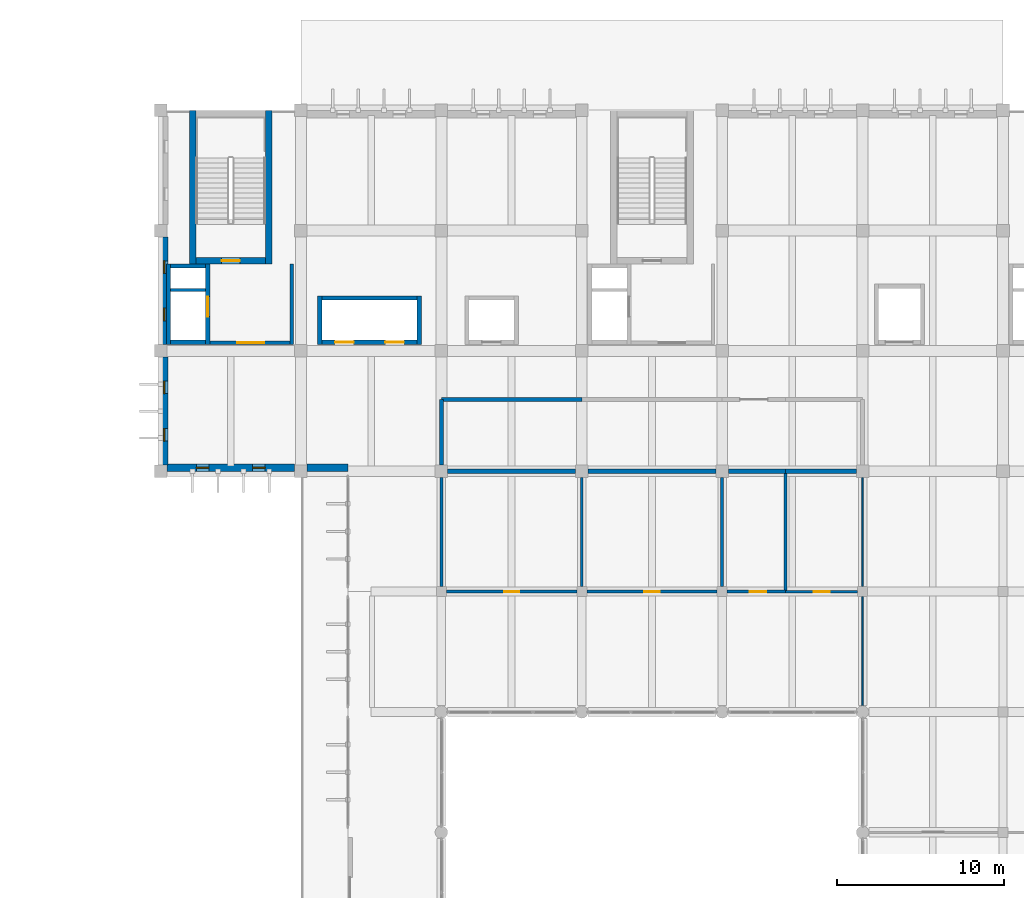
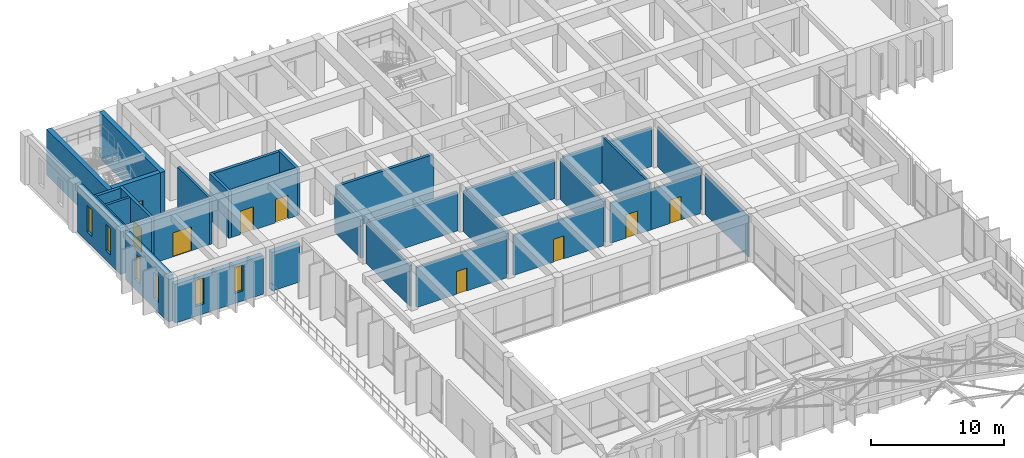
# One storey, part 16 of 23: 34 walls, 9 doors, 6 windows, 15 openings.
"""IFC4 building model written with IfcOpenShell, lengths in metres."""

from ifc_helpers import new_model, si_unit, direction, frame, frame_2d, origin, place, context, subcontext, project, spatial, rectangle, extrude, material, layer, layer_set, type_object, element, fill, save


model = new_model("IFC4")

# Units and contexts
model_context = context("Model", 3, precision=1e-05, world=origin(), true_north=direction((0.0, 1.0)))
body_context = subcontext(model_context, "Body", "Model", "MODEL_VIEW")
ifc_project = project(units=[si_unit("LENGTHUNIT", "METRE"), si_unit("AREAUNIT", "SQUARE_METRE"), si_unit("VOLUMEUNIT", "CUBIC_METRE"), si_unit("PLANEANGLEUNIT", "RADIAN"), si_unit("MASSUNIT", "GRAM", prefix="KILO")], contexts=[model_context])

# Site, building, storey
site_placement = place(None, origin())
site = spatial("IfcSite", under=ifc_project, at=site_placement, CompositionType="ELEMENT")
building_placement = place(site_placement, origin())
building = spatial("IfcBuilding", under=site, at=building_placement, Name="Kenerak Square Central Library", CompositionType="ELEMENT")
storey_placement = place(building_placement, frame((0.0, 0.0, 18.8798828125)))
storey = spatial("IfcBuildingStorey", under=building, at=storey_placement, Name="L04", CompositionType="ELEMENT", Elevation=18.8798828125)

# Wall, opening, door
ifc_material_1 = material(Name="Precast concrete C40/50", Category="concrete")
ifc_layer_1 = layer(ifc_material_1, 0.14990234375)
ifc_layer_set_1 = layer_set([ifc_layer_1], Name="Precast concrete C40/50")
wall_type_1 = type_object("IfcWallType", Name="Acoustic Blockwork Partition IW-150 C40/50", PredefinedType="PARTITIONING", material=ifc_layer_set_1)
wall_1_placement = place(storey_placement, frame((100.10009765625, 81.60009765625, 0.0), z_axis=(0.0, 0.0, 1.0), x_axis=(-1.0, 0.0, 0.0)))
wall_1 = element("IfcWall", 1, at=wall_1_placement, inside=storey, type_object=wall_type_1, Name="Interior Wall IW-L04-12-S1-B1", PredefinedType="PARTITIONING", context=body_context, shape_type="SweptSolid", body=[
    extrude(rectangle(XDim=4.300048828125, YDim=0.14990234375, at=frame_2d((2.14990234375, 0.0))), origin(), (0.0, 0.0, 1.0), 3.68017578125),
])
opening_1_placement = place(wall_1_placement, frame((1.675048828125, 0.0, 0.0)))
opening_1 = element("IfcOpeningElement", 2, at=opening_1_placement, cuts=wall_1, Name="Opening ID-02", PredefinedType="OPENING", context=body_context, shape_type="SweptSolid", body=[
    extrude(rectangle(XDim=0.949951171875, YDim=2.14990234375, at=frame_2d((0.47509765625, 1.074951171875))), frame((0.0, 0.0849609375, 0.0), z_axis=(0.0, -1.0, 0.0), x_axis=(1.0, 0.0, 0.0)), (0.0, 0.0, 1.0), 0.169921875),
])
ifc_material_2 = material(Name="Chengal hardwood timber SG1", Category="wood")
door_type_1 = type_object("IfcDoorType", Name="Study Carrel Timber Door ID-950x2150", OperationType="NOTDEFINED", PredefinedType="DOOR", material=ifc_material_2)
door_1_placement = place(opening_1_placement, origin())
door_1 = element("IfcDoor", 3, at=door_1_placement, inside=storey, type_object=door_type_1, Name="Level 04 Cartographic Microfilm Carrel Room Door", OperationType="SINGLE_SWING_LEFT", OverallHeight=2.14990234375, OverallWidth=0.949951171875, PredefinedType="DOOR", context=body_context, shape_type="SweptSolid", body=[
    extrude(rectangle(XDim=0.949951171875, YDim=2.14990234375, at=frame_2d((0.47509765625, 1.074951171875))), frame((0.0, 0.02490234375, 0.0), z_axis=(0.0, -1.0, 0.0), x_axis=(1.0, 0.0, 0.0)), (0.0, 0.0, 1.0), 0.050048828125),
])
fill(opening_1, door_1)

# Walls
ifc_material_3 = material(Name="Concrete C40/50", Category="concrete")
ifc_layer_2 = layer(ifc_material_3, 0.25)
ifc_layer_set_2 = layer_set([ifc_layer_2], Name="Concrete C40/50")
wall_type_2 = type_object("IfcWallType", Name="Archive Compartment Wall IW-250 C40/50", PredefinedType="SOLIDWALL", material=ifc_layer_set_2)
wall_2_placement = place(storey_placement, frame((75.199951171875, 93.10009765625, 0.0), z_axis=(0.0, 0.0, 1.0), x_axis=(1.0, 0.0, 0.0)))
element("IfcWall", 4, at=wall_2_placement, inside=storey, type_object=wall_type_2, Name="Interior Wall IW-L04-05-N2-B1", PredefinedType="SOLIDWALL", context=body_context, shape_type="SweptSolid", body=[
    extrude(rectangle(XDim=8.400146484375, YDim=0.25, at=frame_2d((4.2001953125, 0.0))), origin(), (0.0, 0.0, 1.0), 4.255126953125),
])
wall_3_placement = place(storey_placement, frame((100.02490234375, 88.800048828125, 0.0), z_axis=(0.0, 0.0, 1.0), x_axis=(-1.0, 0.0, 0.0)))
element("IfcWall", 5, at=wall_3_placement, inside=storey, type_object=wall_type_2, Name="Interior Wall IW-L04-05-S1-B1", PredefinedType="SOLIDWALL", context=body_context, shape_type="SweptSolid", body=[
    extrude(rectangle(XDim=4.224853515625, YDim=0.25, at=frame_2d((2.1123046875, 0.0))), origin(), (0.0, 0.0, 1.0), 3.530029296875),
])
wall_4_placement = place(storey_placement, frame((95.800048828125, 88.800048828125, 0.0), z_axis=(0.0, 0.0, 1.0), x_axis=(-1.0, 0.0, 0.0)))
element("IfcWall", 6, at=wall_4_placement, inside=storey, type_object=wall_type_2, Name="Interior Wall IW-L04-05-S1-B2", PredefinedType="SOLIDWALL", context=body_context, shape_type="SweptSolid", body=[
    extrude(rectangle(XDim=3.425048828125, YDim=0.25, at=frame_2d((1.71240234375, 0.0))), origin(), (0.0, 0.0, 1.0), 3.530029296875),
])
wall_5_placement = place(storey_placement, frame((91.625, 88.800048828125, 0.0), z_axis=(0.0, 0.0, 1.0), x_axis=(-1.0, 0.0, 0.0)))
element("IfcWall", 7, at=wall_5_placement, inside=storey, type_object=wall_type_2, Name="Interior Wall IW-L04-05-S1-B3", PredefinedType="SOLIDWALL", context=body_context, shape_type="SweptSolid", body=[
    extrude(rectangle(XDim=7.64990234375, YDim=0.25, at=frame_2d((3.824951171875, 0.0))), origin(), (0.0, 0.0, 1.0), 3.530029296875),
])
wall_6_placement = place(storey_placement, frame((83.22509765625, 88.800048828125, 0.0), z_axis=(0.0, 0.0, 1.0), x_axis=(-1.0, 0.0, 0.0)))
element("IfcWall", 8, at=wall_6_placement, inside=storey, type_object=wall_type_2, Name="Interior Wall IW-L04-05-S1-B4", PredefinedType="SOLIDWALL", context=body_context, shape_type="SweptSolid", body=[
    extrude(rectangle(XDim=7.650146484375, YDim=0.25, at=frame_2d((3.8251953125, 0.0))), origin(), (0.0, 0.0, 1.0), 3.530029296875),
])
wall_7_placement = place(storey_placement, frame((75.199951171875, 89.175048828125, 0.0), z_axis=(0.0, 0.0, 1.0), x_axis=(0.0, 1.0, 0.0)))
element("IfcWall", 9, at=wall_7_placement, inside=storey, type_object=wall_type_2, Name="Interior Wall IW-L04-05-W3-B1", PredefinedType="SOLIDWALL", context=body_context, shape_type="SweptSolid", body=[
    extrude(rectangle(XDim=3.925048828125, YDim=0.25, at=frame_2d((1.96240234375, 0.0))), origin(), (0.0, 0.0, 1.0), 3.530029296875),
])
ifc_layer_3 = layer(ifc_material_3, 0.39990234375)
ifc_layer_set_3 = layer_set([ifc_layer_3], Name="Concrete C40/50")
wall_type_3 = type_object("IfcWallType", Name="Core Shear Wall CW-400 C40/50", PredefinedType="SHEAR", material=ifc_layer_set_3)
for number, where, z_axis, x_axis, name in (
    (10, (60.320068359375, 101.199951171875, 0.0), (0.0, 0.0, 1.0), (0.0, 1.0, 0.0), "Core Wall CW-C1 L04 West"),
    (11, (64.8798828125, 110.39990234375, 0.0), (0.0, 0.0, 1.0), (0.0, -1.0, 0.0), "Core Wall CW-C1 L04 East"),
):
    element("IfcWall", number, at=place(storey_placement, frame(where, z_axis=z_axis, x_axis=x_axis)), inside=storey, type_object=wall_type_3, Name=name, PredefinedType="SHEAR", context=body_context, shape_type="SweptSolid", body=[
        extrude(rectangle(XDim=9.199951171875, YDim=0.39990234375, at=frame_2d((4.60009765625, 0.0))), origin(), (0.0, 0.0, 1.0), 4.205078125),
    ])

# Wall, opening, door
wall_8_placement = place(storey_placement, frame((64.679931640625, 101.39990234375, 0.0), z_axis=(0.0, 0.0, 1.0), x_axis=(-1.0, 0.0, 0.0)))
wall_8 = element("IfcWall", 12, at=wall_8_placement, inside=storey, type_object=wall_type_3, Name="Core Wall CW-C1 L04 South", PredefinedType="SHEAR", context=body_context, shape_type="SweptSolid", body=[
    extrude(rectangle(XDim=4.159912109375, YDim=0.39990234375, at=frame_2d((2.080078125, 0.0))), origin(), (0.0, 0.0, 1.0), 4.205078125),
])
opening_2_placement = place(wall_8_placement, frame((1.530029296875, 0.0, 0.0)))
opening_2 = element("IfcOpeningElement", 13, at=opening_2_placement, cuts=wall_8, Name="Opening D-ST1", PredefinedType="OPENING", context=body_context, shape_type="SweptSolid", body=[
    extrude(rectangle(XDim=1.10009765625, YDim=2.199951171875, at=frame_2d((0.550048828125, 1.10009765625))), frame((0.0, 0.2099609375, 0.0), z_axis=(0.0, -1.0, 0.0), x_axis=(1.0, 0.0, 0.0)), (0.0, 0.0, 1.0), 0.419921875),
])
ifc_material_4 = material(Name="Steel S355", Category="steel")
door_type_2 = type_object("IfcDoorType", Name="Protected Stair Fire Door FD-1100x2200 FD60S", OperationType="NOTDEFINED", PredefinedType="DOOR", material=ifc_material_4)
door_2_placement = place(opening_2_placement, frame((1.10009765625, 0.0, 0.0), z_axis=(0.0, 0.0, 1.0), x_axis=(-1.0, 0.0, 0.0)))
door_2 = element("IfcDoor", 14, at=door_2_placement, inside=storey, type_object=door_type_2, Name="Stair Door ST-01 L04", OperationType="SINGLE_SWING_LEFT", OverallHeight=2.199951171875, OverallWidth=1.10009765625, PredefinedType="DOOR", context=body_context, shape_type="SweptSolid", body=[
    extrude(rectangle(XDim=1.10009765625, YDim=2.199951171875, at=frame_2d((0.550048828125, 1.10009765625))), frame((0.0, 0.02490234375, 0.0), z_axis=(0.0, -1.0, 0.0), x_axis=(1.0, 0.0, 0.0)), (0.0, 0.0, 1.0), 0.050048828125),
])
fill(opening_2, door_2)

# Walls
ifc_material_5 = material(Name="Laminated acoustic glass in aluminium frame", Category="aluminium")
ifc_layer_4 = layer(ifc_material_5, 0.10009765625)
ifc_layer_set_4 = layer_set([ifc_layer_4], Name="Laminated acoustic glass in aluminium frame")
wall_type_4 = type_object("IfcWallType", Name="Glazed Study Carrel Screen IW-100", PredefinedType="MOVABLE", material=ifc_layer_set_4)
for number, where, z_axis, x_axis, name in (
    (15, (100.39990234375, 74.77490234375, 0.0), (0.0, 0.0, 1.0), (0.0, 1.0, 0.0), "Interior Wall IW-L04-04-W2-B2"),
    (16, (100.39990234375, 81.89990234375, 0.0), (0.0, 0.0, 1.0), (0.0, 1.0, 0.0), "Interior Wall IW-L04-04-W2-B3"),
):
    element("IfcWall", number, at=place(storey_placement, frame(where, z_axis=z_axis, x_axis=x_axis)), inside=storey, type_object=wall_type_4, Name=name, PredefinedType="MOVABLE", context=body_context, shape_type="SweptSolid", body=[
        extrude(rectangle(XDim=6.525146484375, YDim=0.10009765625, at=frame_2d((3.2626953125, 0.0))), origin(), (0.0, 0.0, 1.0), 3.730224609375),
    ])
ifc_layer_5 = layer(ifc_material_3, 0.199951171875)
ifc_layer_set_5 = layer_set([ifc_layer_5], Name="Concrete C40/50")
wall_type_5 = type_object("IfcWallType", Name="Lobby Compartment Wall LW-200 C40/50", PredefinedType="SOLIDWALL", material=ifc_layer_set_5)
wall_9_placement = place(storey_placement, frame((59.0, 99.64990234375, 0.0), z_axis=(0.0, 0.0, 1.0), x_axis=(1.0, 0.0, 0.0)))
element("IfcWall", 17, at=wall_9_placement, inside=storey, type_object=wall_type_5, Name="Riser Divider Wall C1 L04", PredefinedType="SOLIDWALL", context=body_context, shape_type="SweptSolid", body=[
    extrude(rectangle(XDim=2.10009765625, YDim=0.199951171875, at=frame_2d((1.050048828125, 0.0))), origin(), (0.0, 0.0, 1.0), 4.205078125),
])
wall_10_placement = place(storey_placement, frame((66.25, 101.199951171875, 0.0), z_axis=(0.0, 0.0, 1.0), x_axis=(0.0, -1.0, 0.0)))
element("IfcWall", 18, at=wall_10_placement, inside=storey, type_object=wall_type_5, Name="Firefighting Lobby East Wall C1 L04", PredefinedType="SOLIDWALL", context=body_context, shape_type="SweptSolid", body=[
    extrude(rectangle(XDim=4.800048828125, YDim=0.199951171875, at=frame_2d((2.39990234375, 0.0))), origin(), (0.0, 0.0, 1.0), 4.205078125),
])

# Wall, opening, door
wall_11_placement = place(storey_placement, frame((66.14990234375, 96.5, 0.0), z_axis=(0.0, 0.0, 1.0), x_axis=(-1.0, 0.0, 0.0)))
wall_11 = element("IfcWall", 19, at=wall_11_placement, inside=storey, type_object=wall_type_5, Name="Firefighting Lobby South Wall C1 L04", PredefinedType="SOLIDWALL", context=body_context, shape_type="SweptSolid", body=[
    extrude(rectangle(XDim=4.7998046875, YDim=0.199951171875, at=frame_2d((2.39990234375, 0.0))), origin(), (0.0, 0.0, 1.0), 4.205078125),
])
opening_3_placement = place(wall_11_placement, frame((1.550048828125, 0.0, 0.0)))
opening_3 = element("IfcOpeningElement", 20, at=opening_3_placement, cuts=wall_11, Name="Opening D-FFL", PredefinedType="OPENING", context=body_context, shape_type="SweptSolid", body=[
    extrude(rectangle(XDim=1.60009765625, YDim=2.199951171875, at=frame_2d((0.800048828125, 1.10009765625))), frame((0.0, 0.10986328125, 0.0), z_axis=(0.0, -1.0, 0.0), x_axis=(1.0, 0.0, 0.0)), (0.0, 0.0, 1.0), 0.219970703125),
])
door_type_3 = type_object("IfcDoorType", Name="Firefighting Lobby Double Door FD-1600x2200 FD60S", OperationType="NOTDEFINED", PredefinedType="DOOR", material=ifc_material_4)
door_3_placement = place(opening_3_placement, frame((1.60009765625, 0.0, 0.0), z_axis=(0.0, 0.0, 1.0), x_axis=(-1.0, 0.0, 0.0)))
door_3 = element("IfcDoor", 21, at=door_3_placement, inside=storey, type_object=door_type_3, Name="Firefighting Lobby Door C1 L04", OperationType="DOUBLE_DOOR_SINGLE_SWING", OverallHeight=2.199951171875, OverallWidth=1.60009765625, PredefinedType="DOOR", context=body_context, shape_type="SweptSolid", body=[
    extrude(rectangle(XDim=1.60009765625, YDim=2.199951171875, at=frame_2d((0.800048828125, 1.10009765625))), frame((0.0, 0.02490234375, 0.0), z_axis=(0.0, -1.0, 0.0), x_axis=(1.0, 0.0, 0.0)), (0.0, 0.0, 1.0), 0.050048828125),
])
fill(opening_3, door_3)

# Wall
ifc_layer_6 = layer(ifc_material_3, 0.449951171875)
ifc_layer_set_6 = layer_set([ifc_layer_6], Name="Concrete C40/50")
wall_type_6 = type_object("IfcWallType", Name="Rare-Books Vault Exterior Wall VW-450 C40/50", PredefinedType="SOLIDWALL", material=ifc_layer_set_6)
wall_12_placement = place(storey_placement, frame((69.60009765625, 89.02490234375, 0.0), z_axis=(0.0, 0.0, 1.0), x_axis=(-1.0, 0.0, 0.0)))
element("IfcWall", 22, at=wall_12_placement, inside=storey, type_object=wall_type_6, Name="Exterior Facade Wall L04 0225", PredefinedType="SOLIDWALL", context=body_context, shape_type="SweptSolid", body=[
    extrude(rectangle(XDim=2.425048828125, YDim=0.449951171875, at=frame_2d((1.21240234375, 0.0))), origin(), (0.0, 0.0, 1.0), 3.530029296875),
])

# Wall, openings, windows
wall_13_placement = place(storey_placement, frame((66.425048828125, 89.02490234375, 0.0), z_axis=(0.0, 0.0, 1.0), x_axis=(-1.0, 0.0, 0.0)))
wall_13 = element("IfcWall", 23, at=wall_13_placement, inside=storey, type_object=wall_type_6, Name="Exterior Facade Wall L04 0226", PredefinedType="SOLIDWALL", context=body_context, shape_type="SweptSolid", body=[
    extrude(rectangle(XDim=7.650146484375, YDim=0.449951171875, at=frame_2d((3.8251953125, 0.0))), origin(), (0.0, 0.0, 1.0), 3.530029296875),
])
opening_4_placement = place(wall_13_placement, frame((1.76708984375, 0.0, 0.89990234375)))
opening_4 = element("IfcOpeningElement", 24, at=opening_4_placement, cuts=wall_13, Name="Opening W-02", PredefinedType="OPENING", context=body_context, shape_type="SweptSolid", body=[
    extrude(rectangle(XDim=0.75, YDim=2.39990234375, at=frame_2d((0.375, 1.199951171875))), frame((0.0, 0.23486328125, 0.0), z_axis=(0.0, -1.0, 0.0), x_axis=(1.0, 0.0, 0.0)), (0.0, 0.0, 1.0), 0.469970703125),
])
opening_5_placement = place(wall_13_placement, frame((5.133056640625, 0.0, 0.89990234375)))
opening_5 = element("IfcOpeningElement", 25, at=opening_5_placement, cuts=wall_13, Name="Opening W-02", PredefinedType="OPENING", context=body_context, shape_type="SweptSolid", body=[
    extrude(rectangle(XDim=0.75, YDim=2.39990234375, at=frame_2d((0.375, 1.199951171875))), frame((0.0, 0.23486328125, 0.0), z_axis=(0.0, -1.0, 0.0), x_axis=(1.0, 0.0, 0.0)), (0.0, 0.0, 1.0), 0.469970703125),
])
ifc_material_6 = material(Name="Solar-control low-E laminated double glazing", Category="glass")
window_type = type_object("IfcWindowType", Name="Archive Narrow Slot Window W-02 750x2400", PartitioningType="SINGLE_PANEL", PredefinedType="WINDOW", material=ifc_material_6)
window_1_placement = place(opening_4_placement, origin())
window_1 = element("IfcWindow", 26, at=window_1_placement, inside=storey, type_object=window_type, Name="Window W-02 L04 0244", OverallHeight=2.39990234375, OverallWidth=0.75, PartitioningType="SINGLE_PANEL", PredefinedType="WINDOW", context=body_context, shape_type="SweptSolid", body=[
    extrude(rectangle(XDim=0.75, YDim=2.39990234375, at=frame_2d((0.375, 1.199951171875))), frame((0.0, 0.030029296875, 0.0), z_axis=(0.0, -1.0, 0.0), x_axis=(1.0, 0.0, 0.0)), (0.0, 0.0, 1.0), 0.06005859375),
])
fill(opening_4, window_1)
window_2_placement = place(opening_5_placement, origin())
window_2 = element("IfcWindow", 27, at=window_2_placement, inside=storey, type_object=window_type, Name="Window W-02 L04 0245", OverallHeight=2.39990234375, OverallWidth=0.75, PartitioningType="SINGLE_PANEL", PredefinedType="WINDOW", context=body_context, shape_type="SweptSolid", body=[
    extrude(rectangle(XDim=0.75, YDim=2.39990234375, at=frame_2d((0.375, 1.199951171875))), frame((0.0, 0.030029296875, 0.0), z_axis=(0.0, -1.0, 0.0), x_axis=(1.0, 0.0, 0.0)), (0.0, 0.0, 1.0), 0.06005859375),
])
fill(opening_5, window_2)

wall_14_placement = place(storey_placement, frame((58.625, 89.175048828125, 0.0), z_axis=(0.0, 0.0, 1.0), x_axis=(0.0, 1.0, 0.0)))
wall_14 = element("IfcWall", 28, at=wall_14_placement, inside=storey, type_object=wall_type_6, Name="Exterior Facade Wall L04 0227", PredefinedType="SOLIDWALL", context=body_context, shape_type="SweptSolid", body=[
    extrude(rectangle(XDim=6.449951171875, YDim=0.449951171875, at=frame_2d((3.22509765625, 0.0))), origin(), (0.0, 0.0, 1.0), 4.255126953125),
])
opening_6_placement = place(wall_14_placement, frame((1.430908203125, 0.0, 0.89990234375)))
opening_6 = element("IfcOpeningElement", 29, at=opening_6_placement, cuts=wall_14, Name="Opening W-02", PredefinedType="OPENING", context=body_context, shape_type="SweptSolid", body=[
    extrude(rectangle(XDim=0.75, YDim=2.39990234375, at=frame_2d((0.375, 1.199951171875))), frame((0.0, 0.23486328125, 0.0), z_axis=(0.0, -1.0, 0.0), x_axis=(1.0, 0.0, 0.0)), (0.0, 0.0, 1.0), 0.469970703125),
])
opening_7_placement = place(wall_14_placement, frame((4.26904296875, 0.0, 0.89990234375)))
opening_7 = element("IfcOpeningElement", 30, at=opening_7_placement, cuts=wall_14, Name="Opening W-02", PredefinedType="OPENING", context=body_context, shape_type="SweptSolid", body=[
    extrude(rectangle(XDim=0.75, YDim=2.39990234375, at=frame_2d((0.375, 1.199951171875))), frame((0.0, 0.23486328125, 0.0), z_axis=(0.0, -1.0, 0.0), x_axis=(1.0, 0.0, 0.0)), (0.0, 0.0, 1.0), 0.469970703125),
])
window_3_placement = place(opening_6_placement, origin())
window_3 = element("IfcWindow", 31, at=window_3_placement, inside=storey, type_object=window_type, Name="Window W-02 L04 0246", OverallHeight=2.39990234375, OverallWidth=0.75, PartitioningType="SINGLE_PANEL", PredefinedType="WINDOW", context=body_context, shape_type="SweptSolid", body=[
    extrude(rectangle(XDim=0.75, YDim=2.39990234375, at=frame_2d((0.375, 1.199951171875))), frame((0.0, 0.030029296875, 0.0), z_axis=(0.0, -1.0, 0.0), x_axis=(1.0, 0.0, 0.0)), (0.0, 0.0, 1.0), 0.06005859375),
])
fill(opening_6, window_3)
window_4_placement = place(opening_7_placement, origin())
window_4 = element("IfcWindow", 32, at=window_4_placement, inside=storey, type_object=window_type, Name="Window W-02 L04 0247", OverallHeight=2.39990234375, OverallWidth=0.75, PartitioningType="SINGLE_PANEL", PredefinedType="WINDOW", context=body_context, shape_type="SweptSolid", body=[
    extrude(rectangle(XDim=0.75, YDim=2.39990234375, at=frame_2d((0.375, 1.199951171875))), frame((0.0, 0.030029296875, 0.0), z_axis=(0.0, -1.0, 0.0), x_axis=(1.0, 0.0, 0.0)), (0.0, 0.0, 1.0), 0.06005859375),
])
fill(opening_7, window_4)

wall_15_placement = place(storey_placement, frame((58.625, 96.375, 0.0), z_axis=(0.0, 0.0, 1.0), x_axis=(0.0, 1.0, 0.0)))
wall_15 = element("IfcWall", 33, at=wall_15_placement, inside=storey, type_object=wall_type_6, Name="Exterior Facade Wall L04 0228", PredefinedType="SOLIDWALL", context=body_context, shape_type="SweptSolid", body=[
    extrude(rectangle(XDim=6.449951171875, YDim=0.449951171875, at=frame_2d((3.22509765625, 0.0))), origin(), (0.0, 0.0, 1.0), 4.255126953125),
])
opening_8_placement = place(wall_15_placement, frame((1.430908203125, 0.0, 0.89990234375)))
opening_8 = element("IfcOpeningElement", 34, at=opening_8_placement, cuts=wall_15, Name="Opening W-02", PredefinedType="OPENING", context=body_context, shape_type="SweptSolid", body=[
    extrude(rectangle(XDim=0.75, YDim=2.39990234375, at=frame_2d((0.375, 1.199951171875))), frame((0.0, 0.23486328125, 0.0), z_axis=(0.0, -1.0, 0.0), x_axis=(1.0, 0.0, 0.0)), (0.0, 0.0, 1.0), 0.469970703125),
])
opening_9_placement = place(wall_15_placement, frame((4.26904296875, 0.0, 0.89990234375)))
opening_9 = element("IfcOpeningElement", 35, at=opening_9_placement, cuts=wall_15, Name="Opening W-02", PredefinedType="OPENING", context=body_context, shape_type="SweptSolid", body=[
    extrude(rectangle(XDim=0.75, YDim=2.39990234375, at=frame_2d((0.375, 1.199951171875))), frame((0.0, 0.23486328125, 0.0), z_axis=(0.0, -1.0, 0.0), x_axis=(1.0, 0.0, 0.0)), (0.0, 0.0, 1.0), 0.469970703125),
])
window_5_placement = place(opening_8_placement, origin())
window_5 = element("IfcWindow", 36, at=window_5_placement, inside=storey, type_object=window_type, Name="Window W-02 L04 0248", OverallHeight=2.39990234375, OverallWidth=0.75, PartitioningType="SINGLE_PANEL", PredefinedType="WINDOW", context=body_context, shape_type="SweptSolid", body=[
    extrude(rectangle(XDim=0.75, YDim=2.39990234375, at=frame_2d((0.375, 1.199951171875))), frame((0.0, 0.030029296875, 0.0), z_axis=(0.0, -1.0, 0.0), x_axis=(1.0, 0.0, 0.0)), (0.0, 0.0, 1.0), 0.06005859375),
])
fill(opening_8, window_5)
window_6_placement = place(opening_9_placement, origin())
window_6 = element("IfcWindow", 37, at=window_6_placement, inside=storey, type_object=window_type, Name="Window W-02 L04 0249", OverallHeight=2.39990234375, OverallWidth=0.75, PartitioningType="SINGLE_PANEL", PredefinedType="WINDOW", context=body_context, shape_type="SweptSolid", body=[
    extrude(rectangle(XDim=0.75, YDim=2.39990234375, at=frame_2d((0.375, 1.199951171875))), frame((0.0, 0.030029296875, 0.0), z_axis=(0.0, -1.0, 0.0), x_axis=(1.0, 0.0, 0.0)), (0.0, 0.0, 1.0), 0.06005859375),
])
fill(opening_9, window_6)

# Wall, opening, door
ifc_layer_7 = layer(ifc_material_1, 0.175048828125)
ifc_layer_set_7 = layer_set([ifc_layer_7], Name="Precast concrete C40/50")
wall_type_7 = type_object("IfcWallType", Name="Sanitary Plumbing Chase Wall IW-175 C40/50", PredefinedType="PLUMBINGWALL", material=ifc_layer_set_7)
wall_16_placement = place(storey_placement, frame((83.300048828125, 81.60009765625, 0.0), z_axis=(0.0, 0.0, 1.0), x_axis=(-1.0, 0.0, 0.0)))
wall_16 = element("IfcWall", 38, at=wall_16_placement, inside=storey, type_object=wall_type_7, Name="Interior Wall IW-L04-07-S1-B1", PredefinedType="PLUMBINGWALL", context=body_context, shape_type="SweptSolid", body=[
    extrude(rectangle(XDim=7.800048828125, YDim=0.175048828125, at=frame_2d((3.89990234375, 0.0))), origin(), (0.0, 0.0, 1.0), 3.68017578125),
])
opening_10_placement = place(wall_16_placement, frame((3.449951171875, 0.0, 0.0)))
opening_10 = element("IfcOpeningElement", 39, at=opening_10_placement, cuts=wall_16, Name="Opening ID-01", PredefinedType="OPENING", context=body_context, shape_type="SweptSolid", body=[
    extrude(rectangle(XDim=0.89990234375, YDim=2.10009765625, at=frame_2d((0.449951171875, 1.050048828125))), frame((0.0, 0.097412109375, 0.0), z_axis=(0.0, -1.0, 0.0), x_axis=(1.0, 0.0, 0.0)), (0.0, 0.0, 1.0), 0.195068359375),
])
door_type_4 = type_object("IfcDoorType", Name="Restroom Single Door ID-900x2100", OperationType="NOTDEFINED", PredefinedType="DOOR", material=ifc_material_2)
door_4_placement = place(opening_10_placement, origin())
door_4 = element("IfcDoor", 40, at=door_4_placement, inside=storey, type_object=door_type_4, Name="Level 04 Male Restroom Door", OperationType="SINGLE_SWING_RIGHT", OverallHeight=2.10009765625, OverallWidth=0.89990234375, PredefinedType="DOOR", context=body_context, shape_type="SweptSolid", body=[
    extrude(rectangle(XDim=0.89990234375, YDim=2.10009765625, at=frame_2d((0.449951171875, 1.050048828125))), frame((0.0, 0.02490234375, 0.0), z_axis=(0.0, -1.0, 0.0), x_axis=(1.0, 0.0, 0.0)), (0.0, 0.0, 1.0), 0.050048828125),
])
fill(opening_10, door_4)

wall_17_placement = place(storey_placement, frame((91.699951171875, 81.60009765625, 0.0), z_axis=(0.0, 0.0, 1.0), x_axis=(-1.0, 0.0, 0.0)))
wall_17 = element("IfcWall", 41, at=wall_17_placement, inside=storey, type_object=wall_type_7, Name="Interior Wall IW-L04-08-S1-B1", PredefinedType="PLUMBINGWALL", context=body_context, shape_type="SweptSolid", body=[
    extrude(rectangle(XDim=7.800048828125, YDim=0.175048828125, at=frame_2d((3.89990234375, 0.0))), origin(), (0.0, 0.0, 1.0), 3.68017578125),
])
opening_11_placement = place(wall_17_placement, frame((3.449951171875, 0.0, 0.0)))
opening_11 = element("IfcOpeningElement", 42, at=opening_11_placement, cuts=wall_17, Name="Opening ID-01", PredefinedType="OPENING", context=body_context, shape_type="SweptSolid", body=[
    extrude(rectangle(XDim=0.89990234375, YDim=2.10009765625, at=frame_2d((0.449951171875, 1.050048828125))), frame((0.0, 0.097412109375, 0.0), z_axis=(0.0, -1.0, 0.0), x_axis=(1.0, 0.0, 0.0)), (0.0, 0.0, 1.0), 0.195068359375),
])
door_5_placement = place(opening_11_placement, origin())
door_5 = element("IfcDoor", 43, at=door_5_placement, inside=storey, type_object=door_type_4, Name="Level 04 Female Restroom Door", OperationType="SINGLE_SWING_LEFT", OverallHeight=2.10009765625, OverallWidth=0.89990234375, PredefinedType="DOOR", context=body_context, shape_type="SweptSolid", body=[
    extrude(rectangle(XDim=0.89990234375, YDim=2.10009765625, at=frame_2d((0.449951171875, 1.050048828125))), frame((0.0, 0.02490234375, 0.0), z_axis=(0.0, -1.0, 0.0), x_axis=(1.0, 0.0, 0.0)), (0.0, 0.0, 1.0), 0.050048828125),
])
fill(opening_11, door_5)

wall_18_placement = place(storey_placement, frame((95.800048828125, 81.60009765625, 0.0), z_axis=(0.0, 0.0, 1.0), x_axis=(-1.0, 0.0, 0.0)))
wall_18 = element("IfcWall", 44, at=wall_18_placement, inside=storey, type_object=wall_type_7, Name="Interior Wall IW-L04-09-S1-B1", PredefinedType="PLUMBINGWALL", context=body_context, shape_type="SweptSolid", body=[
    extrude(rectangle(XDim=3.5, YDim=0.175048828125, at=frame_2d((1.75, 0.0))), origin(), (0.0, 0.0, 1.0), 3.68017578125),
])
opening_12_placement = place(wall_18_placement, frame((1.14990234375, 0.0, 0.0)))
opening_12 = element("IfcOpeningElement", 45, at=opening_12_placement, cuts=wall_18, Name="Opening ID-03", PredefinedType="OPENING", context=body_context, shape_type="SweptSolid", body=[
    extrude(rectangle(XDim=1.0, YDim=2.14990234375, at=frame_2d((0.5, 1.074951171875))), frame((0.0, 0.097412109375, 0.0), z_axis=(0.0, -1.0, 0.0), x_axis=(1.0, 0.0, 0.0)), (0.0, 0.0, 1.0), 0.195068359375),
])
door_type_5 = type_object("IfcDoorType", Name="Accessible OKU WC Door ID-1000x2150", OperationType="NOTDEFINED", PredefinedType="DOOR", material=ifc_material_2)
door_6_placement = place(opening_12_placement, origin())
door_6 = element("IfcDoor", 46, at=door_6_placement, inside=storey, type_object=door_type_5, Name="Level 04 Accessible WC Door", OperationType="SINGLE_SWING_RIGHT", OverallHeight=2.14990234375, OverallWidth=1.0, PredefinedType="DOOR", context=body_context, shape_type="SweptSolid", body=[
    extrude(rectangle(XDim=1.0, YDim=2.14990234375, at=frame_2d((0.5, 1.074951171875))), frame((0.0, 0.02490234375, 0.0), z_axis=(0.0, -1.0, 0.0), x_axis=(1.0, 0.0, 0.0)), (0.0, 0.0, 1.0), 0.050048828125),
])
fill(opening_12, door_6)

# Walls
for number, where, z_axis, x_axis, name in (
    (47, (75.199951171875, 81.89990234375, 0.0), (0.0, 0.0, 1.0), (0.0, 1.0, 0.0), "Interior Wall IW-L04-07-W3-B1"),
    (48, (83.60009765625, 88.425048828125, 0.0), (0.0, 0.0, 1.0), (0.0, -1.0, 0.0), "Interior Wall IW-L04-07-E4-B1"),
    (49, (92.0, 88.425048828125, 0.0), (0.0, 0.0, 1.0), (0.0, -1.0, 0.0), "Interior Wall IW-L04-08-E4-B1"),
):
    element("IfcWall", number, at=place(storey_placement, frame(where, z_axis=z_axis, x_axis=x_axis)), inside=storey, type_object=wall_type_7, Name=name, PredefinedType="PLUMBINGWALL", context=body_context, shape_type="SweptSolid", body=[
        extrude(rectangle(XDim=6.525146484375, YDim=0.175048828125, at=frame_2d((3.2626953125, 0.0))), origin(), (0.0, 0.0, 1.0), 3.730224609375),
    ])
wall_19_placement = place(storey_placement, frame((95.800048828125, 88.800048828125, 0.0), z_axis=(0.0, 0.0, 1.0), x_axis=(0.0, -1.0, 0.0)))
element("IfcWall", 50, at=wall_19_placement, inside=storey, type_object=wall_type_7, Name="Interior Wall IW-L04-09-E4-B1", PredefinedType="PLUMBINGWALL", context=body_context, shape_type="SweptSolid", body=[
    extrude(rectangle(XDim=7.199951171875, YDim=0.175048828125, at=frame_2d((3.60009765625, 0.0))), origin(), (0.0, 0.0, 1.0), 4.255126953125),
])
ifc_layer_8 = layer(ifc_material_3, 0.25)
ifc_layer_set_8 = layer_set([ifc_layer_8], Name="Concrete C40/50")
wall_type_8 = type_object("IfcWallType", Name="Shaft Enclosure Wall SW-250 C40/50", PredefinedType="SOLIDWALL", material=ifc_layer_set_8)
wall_20_placement = place(storey_placement, frame((58.875, 96.39990234375, 0.0), z_axis=(0.0, 0.0, 1.0), x_axis=(0.0, 1.0, 0.0)))
element("IfcWall", 51, at=wall_20_placement, inside=storey, type_object=wall_type_8, Name="Core Wall FLW-C1 L04 West", PredefinedType="SOLIDWALL", context=body_context, shape_type="SweptSolid", body=[
    extrude(rectangle(XDim=4.800048828125, YDim=0.25, at=frame_2d((2.39990234375, 0.0))), origin(), (0.0, 0.0, 1.0), 4.205078125),
])

# Wall, opening, door
wall_21_placement = place(storey_placement, frame((61.22509765625, 101.199951171875, 0.0), z_axis=(0.0, 0.0, 1.0), x_axis=(0.0, -1.0, 0.0)))
wall_21 = element("IfcWall", 52, at=wall_21_placement, inside=storey, type_object=wall_type_8, Name="Core Wall FLW-C1 L04 East", PredefinedType="SOLIDWALL", context=body_context, shape_type="SweptSolid", body=[
    extrude(rectangle(XDim=4.800048828125, YDim=0.25, at=frame_2d((2.39990234375, 0.0))), origin(), (0.0, 0.0, 1.0), 4.205078125),
])
opening_13_placement = place(wall_21_placement, frame((1.949951171875, 0.0, 0.0)))
opening_13 = element("IfcOpeningElement", 53, at=opening_13_placement, cuts=wall_21, Name="Opening LD-FL", PredefinedType="OPENING", context=body_context, shape_type="SweptSolid", body=[
    extrude(rectangle(XDim=1.199951171875, YDim=2.199951171875, at=frame_2d((0.60009765625, 1.10009765625))), frame((0.0, 0.135009765625, 0.0), z_axis=(0.0, -1.0, 0.0), x_axis=(1.0, 0.0, 0.0)), (0.0, 0.0, 1.0), 0.27001953125),
])
door_type_6 = type_object("IfcDoorType", Name="Firefighting Lift Sliding Landing Door LD-1200x2200 FD120S", OperationType="NOTDEFINED", PredefinedType="DOOR", material=ifc_material_4)
door_7_placement = place(opening_13_placement, origin())
door_7 = element("IfcDoor", 54, at=door_7_placement, inside=storey, type_object=door_type_6, Name="Firefighting Lift Landing Door FL-01 L04", OperationType="SLIDING_TO_LEFT", OverallHeight=2.199951171875, OverallWidth=1.199951171875, PredefinedType="DOOR", context=body_context, shape_type="SweptSolid", body=[
    extrude(rectangle(XDim=1.199951171875, YDim=2.199951171875, at=frame_2d((0.60009765625, 1.10009765625))), frame((0.0, 0.02490234375, 0.0), z_axis=(0.0, -1.0, 0.0), x_axis=(1.0, 0.0, 0.0)), (0.0, 0.0, 1.0), 0.050048828125),
])
fill(opening_13, door_7)

# Walls
for number, where, z_axis, x_axis, name in (
    (55, (61.10009765625, 96.52490234375, 0.0), (0.0, 0.0, 1.0), (-1.0, 0.0, 0.0), "Core Wall FLW-C1 L04 South"),
    (56, (59.0, 101.074951171875, 0.0), (0.0, 0.0, 1.0), (1.0, 0.0, 0.0), "Core Wall FLW-C1 L04 North"),
):
    element("IfcWall", number, at=place(storey_placement, frame(where, z_axis=z_axis, x_axis=x_axis)), inside=storey, type_object=wall_type_8, Name=name, PredefinedType="SOLIDWALL", context=body_context, shape_type="SweptSolid", body=[
        extrude(rectangle(XDim=2.10009765625, YDim=0.25, at=frame_2d((1.050048828125, 0.0))), origin(), (0.0, 0.0, 1.0), 4.205078125),
    ])
for number, where, z_axis, x_axis, name in (
    (57, (67.925048828125, 96.39990234375, 0.0), (0.0, 0.0, 1.0), (0.0, 1.0, 0.0), "Core Wall PLBANKW L04 West"),
    (58, (73.875, 99.300048828125, 0.0), (0.0, 0.0, 1.0), (0.0, -1.0, 0.0), "Core Wall PLBANKW L04 East"),
):
    element("IfcWall", number, at=place(storey_placement, frame(where, z_axis=z_axis, x_axis=x_axis)), inside=storey, type_object=wall_type_8, Name=name, PredefinedType="SOLIDWALL", context=body_context, shape_type="SweptSolid", body=[
        extrude(rectangle(XDim=2.900146484375, YDim=0.25, at=frame_2d((1.4501953125, 0.0))), origin(), (0.0, 0.0, 1.0), 4.255126953125),
    ])

# Wall, openings, doors
wall_22_placement = place(storey_placement, frame((73.75, 96.52490234375, 0.0), z_axis=(0.0, 0.0, 1.0), x_axis=(-1.0, 0.0, 0.0)))
wall_22 = element("IfcWall", 59, at=wall_22_placement, inside=storey, type_object=wall_type_8, Name="Core Wall PLBANKW L04 South", PredefinedType="SOLIDWALL", context=body_context, shape_type="SweptSolid", body=[
    extrude(rectangle(XDim=5.699951171875, YDim=0.25, at=frame_2d((2.85009765625, 0.0))), origin(), (0.0, 0.0, 1.0), 4.255126953125),
])
opening_14_placement = place(wall_22_placement, frame((3.800048828125, 0.0, 0.0)))
opening_14 = element("IfcOpeningElement", 60, at=opening_14_placement, cuts=wall_22, Name="Opening LD-PL", PredefinedType="OPENING", context=body_context, shape_type="SweptSolid", body=[
    extrude(rectangle(XDim=1.10009765625, YDim=2.14990234375, at=frame_2d((0.550048828125, 1.074951171875))), frame((0.0, 0.135009765625, 0.0), z_axis=(0.0, -1.0, 0.0), x_axis=(1.0, 0.0, 0.0)), (0.0, 0.0, 1.0), 0.27001953125),
])
opening_15_placement = place(wall_22_placement, frame((0.800048828125, 0.0, 0.0)))
opening_15 = element("IfcOpeningElement", 61, at=opening_15_placement, cuts=wall_22, Name="Opening LD-PL", PredefinedType="OPENING", context=body_context, shape_type="SweptSolid", body=[
    extrude(rectangle(XDim=1.10009765625, YDim=2.14990234375, at=frame_2d((0.550048828125, 1.074951171875))), frame((0.0, 0.135009765625, 0.0), z_axis=(0.0, -1.0, 0.0), x_axis=(1.0, 0.0, 0.0)), (0.0, 0.0, 1.0), 0.27001953125),
])
door_type_7 = type_object("IfcDoorType", Name="Passenger Lift Sliding Landing Door LD-1100x2150", OperationType="NOTDEFINED", PredefinedType="DOOR", material=ifc_material_4)
door_8_placement = place(opening_14_placement, origin())
door_8 = element("IfcDoor", 62, at=door_8_placement, inside=storey, type_object=door_type_7, Name="Passenger Lift Landing Door PL-01 L04", OperationType="SLIDING_TO_RIGHT", OverallHeight=2.14990234375, OverallWidth=1.10009765625, PredefinedType="DOOR", context=body_context, shape_type="SweptSolid", body=[
    extrude(rectangle(XDim=1.10009765625, YDim=2.14990234375, at=frame_2d((0.550048828125, 1.074951171875))), frame((0.0, 0.02490234375, 0.0), z_axis=(0.0, -1.0, 0.0), x_axis=(1.0, 0.0, 0.0)), (0.0, 0.0, 1.0), 0.050048828125),
])
fill(opening_14, door_8)
door_9_placement = place(opening_15_placement, origin())
door_9 = element("IfcDoor", 63, at=door_9_placement, inside=storey, type_object=door_type_7, Name="Passenger Lift Landing Door PL-02 L04", OperationType="SLIDING_TO_RIGHT", OverallHeight=2.14990234375, OverallWidth=1.10009765625, PredefinedType="DOOR", context=body_context, shape_type="SweptSolid", body=[
    extrude(rectangle(XDim=1.10009765625, YDim=2.14990234375, at=frame_2d((0.550048828125, 1.074951171875))), frame((0.0, 0.02490234375, 0.0), z_axis=(0.0, -1.0, 0.0), x_axis=(1.0, 0.0, 0.0)), (0.0, 0.0, 1.0), 0.050048828125),
])
fill(opening_15, door_9)

# Wall
wall_23_placement = place(storey_placement, frame((68.050048828125, 99.175048828125, 0.0), z_axis=(0.0, 0.0, 1.0), x_axis=(1.0, 0.0, 0.0)))
element("IfcWall", 64, at=wall_23_placement, inside=storey, type_object=wall_type_8, Name="Core Wall PLBANKW L04 North", PredefinedType="SOLIDWALL", context=body_context, shape_type="SweptSolid", body=[
    extrude(rectangle(XDim=5.699951171875, YDim=0.25, at=frame_2d((2.85009765625, 0.0))), origin(), (0.0, 0.0, 1.0), 4.255126953125),
])

save(model, "model.ifc")
